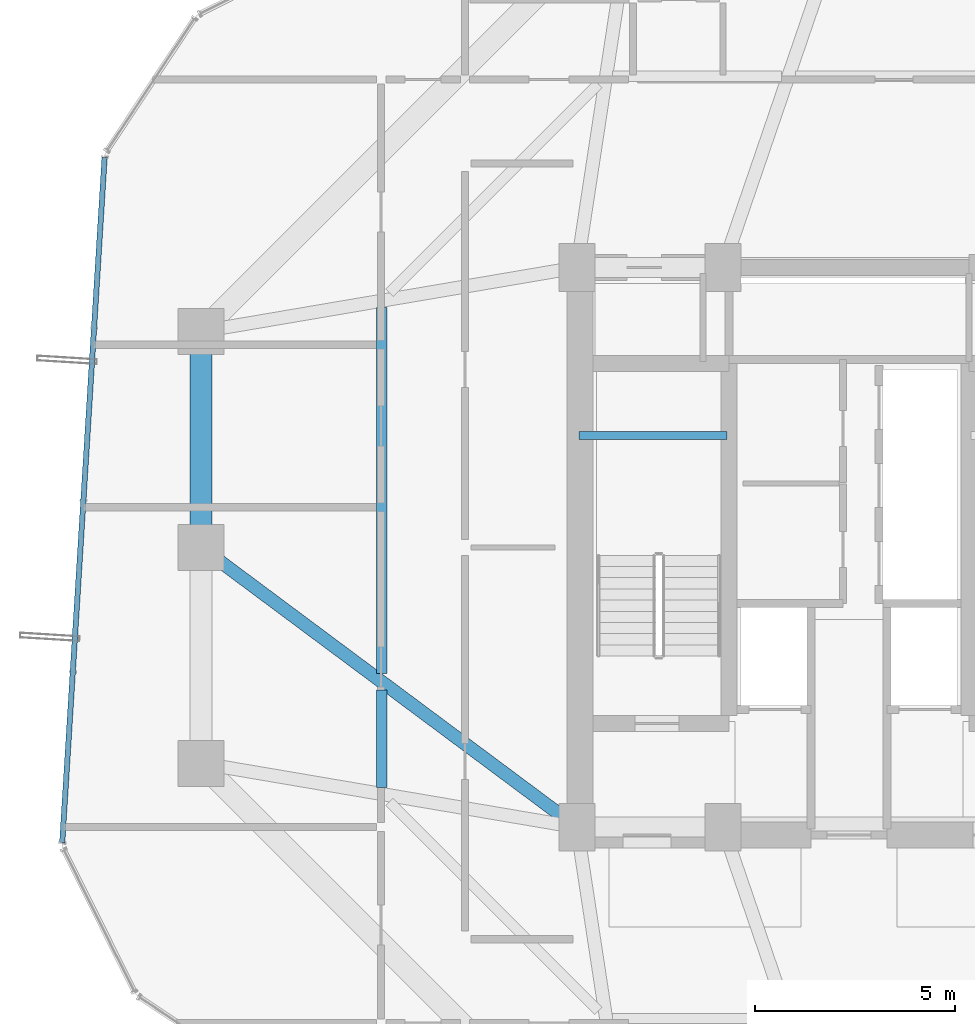
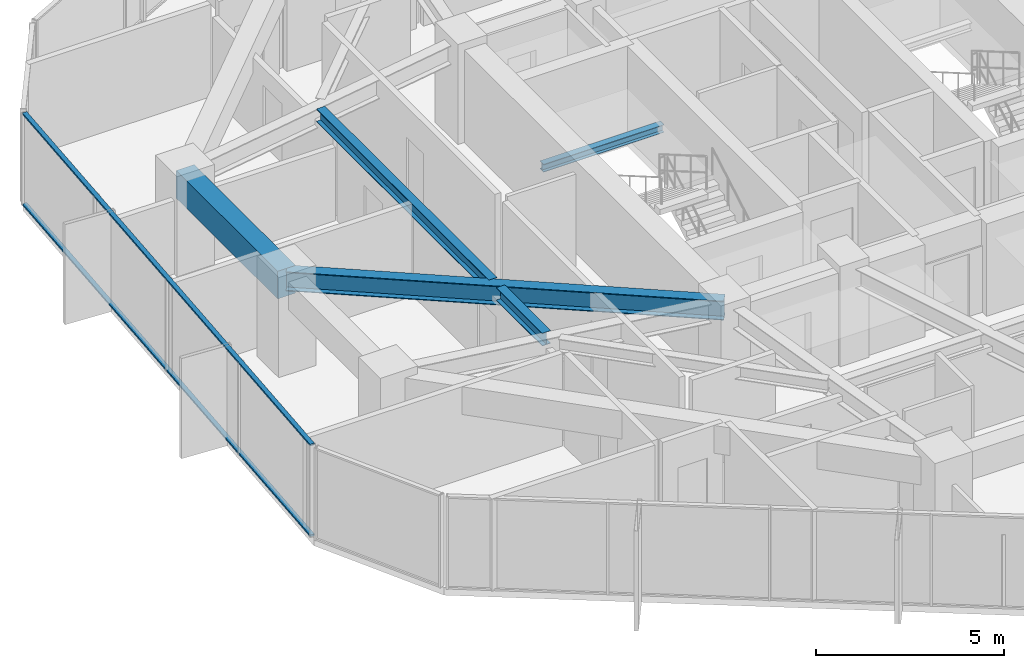
# One storey, part 9 of 30: 5 beams, 2 members, 1 element without a shape of its own.
"""IFC4 building model written with IfcOpenShell, lengths in metres."""

from ifc_helpers import new_model, si_unit, direction, frame, origin, origin_2d, place, context, subcontext, project, spatial, rectangle, hollow_rectangle, i_section, extrude, source, transform, mapped, material, layer, layer_set, material_profile, profile_set, type_object, element, aggregate, save


model = new_model("IFC4")

# Units and contexts
model_context = context("Model", 3, precision=1e-05, world=origin(), true_north=direction((0.0, 1.0)))
body_context = subcontext(model_context, "Body", "Model", "MODEL_VIEW")
ifc_project = project(units=[si_unit("LENGTHUNIT", "METRE"), si_unit("AREAUNIT", "SQUARE_METRE"), si_unit("VOLUMEUNIT", "CUBIC_METRE"), si_unit("PLANEANGLEUNIT", "RADIAN"), si_unit("MASSUNIT", "GRAM", prefix="KILO")], contexts=[model_context])

# Site, building, storey
site_placement = place(None, origin())
site = spatial("IfcSite", under=ifc_project, at=site_placement, CompositionType="ELEMENT")
building_placement = place(site_placement, origin())
building = spatial("IfcBuilding", under=site, at=building_placement, Name="Veraguas Prism Commons", CompositionType="ELEMENT")
storey_placement = place(building_placement, frame((0.0, 0.0, 116.5)))
storey = spatial("IfcBuildingStorey", under=building, at=storey_placement, Name="L32", CompositionType="ELEMENT", Elevation=116.5)

# Beams
ifc_material_1 = material(Name="Steel ASTM A992 Grade 50", Category="steel")
ifc_material_profile_1 = material_profile(ifc_material_1, i_section(OverallWidth=0.260986328125, OverallDepth=0.419921875, WebThickness=0.01171875, FlangeThickness=0.019287109375, at=origin_2d()), Name="W410X114")
ifc_profile_set_1 = profile_set([ifc_material_profile_1], Name="Steel ASTM A992 Grade 50")
beam_type_1 = type_object("IfcBeamType", Name="Lower Floor Joist W410x114", PredefinedType="JOIST", material=ifc_profile_set_1)
beam_1_placement = place(storey_placement, frame((12.31201171875, 30.003662109375, 2.7900390625), z_axis=(0.0, -1.0, 0.0), x_axis=(1.0, 0.0, 0.0)))
element("IfcBeam", 1, at=beam_1_placement, inside=storey, type_object=beam_type_1, Name="Composite Floor Joist L32-JS07", PredefinedType="JOIST", context=body_context, shape_type="SweptSolid", body=[
    extrude(i_section(OverallWidth=0.260986328125, OverallDepth=0.419921875, WebThickness=0.01171875, FlangeThickness=0.019287109375, at=origin_2d()), origin(), (0.0, 0.0, 1.0), 9.16162109375),
])
beam_2_placement = place(storey_placement, frame((12.31201171875, 20.43798828125, 2.7900390625), z_axis=(0.0, -1.0, 0.0), x_axis=(1.0, 0.0, 0.0)))
element("IfcBeam", 2, at=beam_2_placement, inside=storey, type_object=beam_type_1, Name="Composite Floor Joist L32-JS08", PredefinedType="JOIST", context=body_context, shape_type="SweptSolid", body=[
    extrude(i_section(OverallWidth=0.260986328125, OverallDepth=0.419921875, WebThickness=0.01171875, FlangeThickness=0.019287109375, at=origin_2d()), origin(), (0.0, 0.0, 1.0), 2.441650390625),
])
ifc_material_2 = material(Name="Concrete C50/60", Category="concrete")
ifc_material_profile_2 = material_profile(ifc_material_2, rectangle(XDim=0.550048828125, YDim=0.89990234375, at=origin_2d()), Name="RC550X900")
ifc_profile_set_2 = profile_set([ifc_material_profile_2], Name="Concrete C50/60")
beam_type_2 = type_object("IfcBeamType", Name="Perimeter Spandrel Lower RC 550x900", PredefinedType="SPANDREL", material=ifc_profile_set_2)
beam_3_placement = place(storey_placement, frame((7.800048828125, 29.39990234375, 2.550048828125), z_axis=(0.0, -1.0, 0.0), x_axis=(1.0, 0.0, 0.0)))
element("IfcBeam", 3, at=beam_3_placement, inside=storey, type_object=beam_type_2, Name="Perimeter Spandrel Beam L32-SP07", PredefinedType="SPANDREL", context=body_context, shape_type="SweptSolid", body=[
    extrude(rectangle(XDim=0.550048828125, YDim=0.89990234375, at=origin_2d()), origin(), (0.0, 0.0, 1.0), 5.39990234375),
])
ifc_material_profile_3 = material_profile(ifc_material_1, i_section(OverallWidth=0.202880859375, OverallDepth=0.251953125, WebThickness=0.008056640625, FlangeThickness=0.013427734375, at=origin_2d()), Name="W250X58")
ifc_profile_set_3 = profile_set([ifc_material_profile_3], Name="Steel ASTM A992 Grade 50")
beam_type_3 = type_object("IfcBeamType", Name="Structural Opening Lintel W250x58", PredefinedType="LINTEL", material=ifc_profile_set_3)
beam_4_placement = place(storey_placement, frame((17.25, 26.800048828125, 1.299072265625), z_axis=(1.0, 0.0, 0.0), x_axis=(0.0, 1.0, 0.0)))
element("IfcBeam", 4, at=beam_4_placement, inside=storey, type_object=beam_type_3, Name="Stair ST-01 Half-Landing Support Beam L32-1", PredefinedType="LINTEL", context=body_context, shape_type="SweptSolid", body=[
    extrude(i_section(OverallWidth=0.202880859375, OverallDepth=0.251953125, WebThickness=0.008056640625, FlangeThickness=0.013427734375, at=origin_2d()), origin(), (0.0, 0.0, 1.0), 3.699951171875),
])
ifc_material_profile_4 = material_profile(ifc_material_1, i_section(OverallWidth=0.327880859375, OverallDepth=0.6220703125, WebThickness=0.015380859375, FlangeThickness=0.0244140625, at=origin_2d()), Name="W610X195")
ifc_profile_set_4 = profile_set([ifc_material_profile_4], Name="Steel ASTM A992 Grade 50")
beam_type_4 = type_object("IfcBeamType", Name="Zone 2 Radial Girder W610x195", PredefinedType="BEAM", material=ifc_profile_set_4)
beam_5_placement = place(storey_placement, frame((7.800048828125, 24.0, 2.68896484375), z_axis=(0.802040137921, -0.597270137512, 0.0), x_axis=(0.597270137512, 0.802040137921, 0.0)))
element("IfcBeam", 5, at=beam_5_placement, inside=storey, type_object=beam_type_4, Name="Radial Floor Girder L32-RD08", PredefinedType="BEAM", context=body_context, shape_type="SweptSolid", body=[
    extrude(i_section(OverallWidth=0.327880859375, OverallDepth=0.6220703125, WebThickness=0.015380859375, FlangeThickness=0.0244140625, at=origin_2d()), origin(), (0.0, 0.0, 1.0), 11.719970703125),
])

# Curtain wall, members
ifc_material_3 = material(Name="Anodised aluminium EN AW-6063 T6", Category="aluminium")
ifc_layer = layer(ifc_material_3, 0.169921875, Name="Unitised Flush Curtain Wall Zone 2", Category="aluminium")
ifc_layer_set = layer_set([ifc_layer], Name="Anodised aluminium EN AW-6063 T6")
curtain_wall_type = type_object("IfcCurtainWallType", Name="Unitised Flush Curtain Wall Zone 2", PredefinedType="NOTDEFINED", material=ifc_layer_set)
curtain_wall_placement = place(storey_placement, origin())
curtain_wall = element("IfcCurtainWall", 6, at=curtain_wall_placement, inside=storey, type_object=curtain_wall_type, Name="Tower Facade Curtain Wall L32-F3", PredefinedType="NOTDEFINED")
ifc_material_profile_5 = material_profile(ifc_material_3, hollow_rectangle(XDim=0.054931640625, YDim=0.135009765625, WallThickness=0.0029296875, at=origin_2d()), Name="AL55X135X3")
ifc_profile_set_5 = profile_set([ifc_material_profile_5], Name="Anodised aluminium EN AW-6063 T6")
member_type = type_object("IfcMemberType", Name="Curtain Wall Transom Standard AL 55x135x3", PredefinedType="USERDEFINED", material=ifc_profile_set_5)
shared_shape = source(origin(), body_context, "Body", "SweptSolid", [
    extrude(hollow_rectangle(XDim=0.054931640625, YDim=0.135009765625, WallThickness=0.0029296875, at=origin_2d()), origin(), (0.0, 0.0, 1.0), 17.174560546875),
])
member_1_placement = place(storey_placement, frame((5.38427734375, 33.75537109375, 0.027587890625), z_axis=(-0.061736652934, -0.998092473514, 0.0), x_axis=(0.0, 0.0, 1.0)))
member_1 = element("IfcMember", 7, at=member_1_placement, type_object=member_type, Name="CW-Z2 Transom 1", ObjectType="TRANSOM", PredefinedType="USERDEFINED", context=body_context, shape_type="MappedRepresentation", body=[
    mapped(shared_shape, transform((0.0, 0.0, 0.0), scale=1.0)),
])
member_2_placement = place(storey_placement, frame((5.38427734375, 33.75537109375, 2.972412109375), z_axis=(-0.061736652934, -0.998092473514, 0.0), x_axis=(0.0, 0.0, 1.0)))
member_2 = element("IfcMember", 8, at=member_2_placement, type_object=member_type, Name="CW-Z2 Transom 2", ObjectType="TRANSOM", PredefinedType="USERDEFINED", context=body_context, shape_type="MappedRepresentation", body=[
    mapped(shared_shape, transform((0.0, 0.0, 0.0), scale=1.0)),
])
aggregate(curtain_wall, [member_1, member_2])

save(model, "model.ifc")
